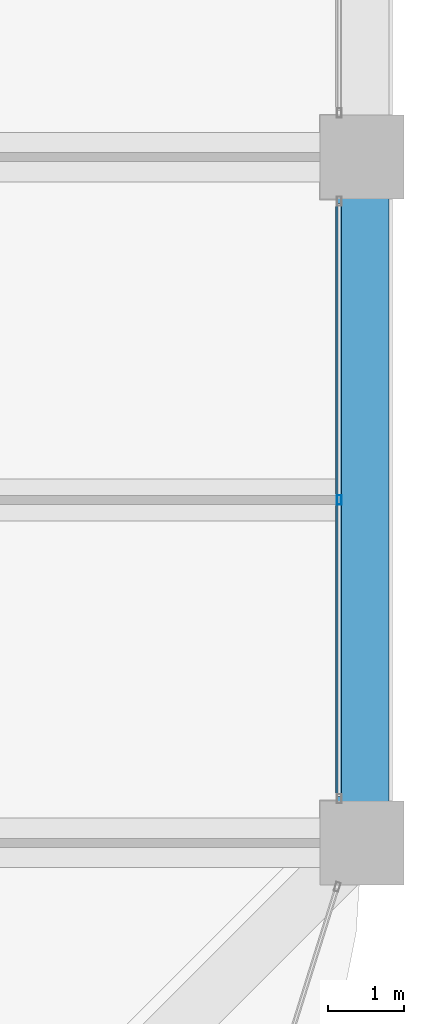
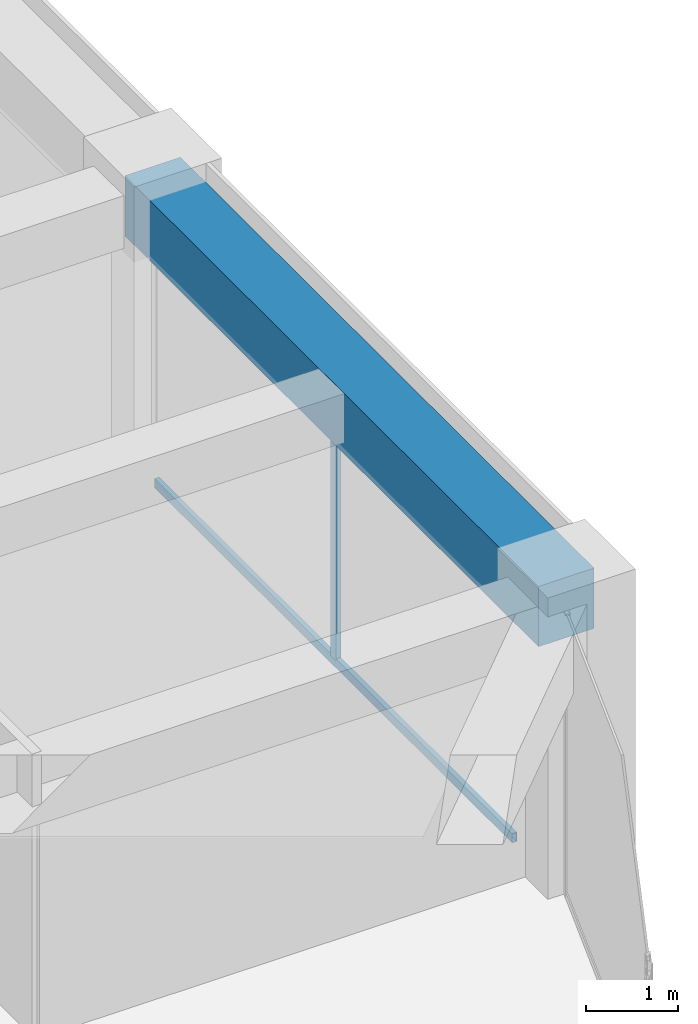
# One storey, part 23 of 44: 2 members, 1 beam, 1 element without a shape of its own.
"""IFC4 building model written with IfcOpenShell, lengths in metres."""

from ifc_helpers import new_model, si_unit, direction, frame, origin, origin_2d, place, context, subcontext, project, spatial, rectangle, hollow_rectangle, extrude, material, material_profile, profile_set, type_object, element, aggregate, save


model = new_model("IFC4")

# Units and contexts
model_context = context("Model", 3, precision=1e-05, world=origin(), true_north=direction((0.0, 1.0)))
body_context = subcontext(model_context, "Body", "Model", "MODEL_VIEW")
ifc_project = project(units=[si_unit("LENGTHUNIT", "METRE"), si_unit("AREAUNIT", "SQUARE_METRE"), si_unit("VOLUMEUNIT", "CUBIC_METRE"), si_unit("PLANEANGLEUNIT", "RADIAN"), si_unit("MASSUNIT", "GRAM", prefix="KILO")], contexts=[model_context])

# Site, building, storey
site_placement = place(None, origin())
site = spatial("IfcSite", under=ifc_project, at=site_placement, CompositionType="ELEMENT")
building_placement = place(site_placement, origin())
building = spatial("IfcBuilding", under=site, at=building_placement, Name="Zorevar Civic Tower", CompositionType="ELEMENT")
storey_placement = place(building_placement, frame((0.0, 0.0, 255.39990234375)))
storey = spatial("IfcBuildingStorey", under=building, at=storey_placement, Name="L62", CompositionType="ELEMENT", Elevation=255.39990234375)

# Curtain wall, members
ifc_material_1 = material(Name="Dark grey solar-control glass in black aluminium frame", Category="aluminium")
curtain_wall_type = type_object("IfcCurtainWallType", Name="Curtain wall CW5 top zone", PredefinedType="NOTDEFINED", material=ifc_material_1)
curtain_wall_placement = place(storey_placement, origin())
curtain_wall = element("IfcCurtainWall", 1, at=curtain_wall_placement, inside=storey, type_object=curtain_wall_type, Name="CW5 L62", PredefinedType="NOTDEFINED")
ifc_material_2 = material(Name="Aluminium, black anodised", Category="aluminium")
ifc_material_profile_1 = material_profile(ifc_material_2, hollow_rectangle(XDim=0.06005859375, YDim=0.1201171875, WallThickness=0.0029296875, at=origin_2d()), Name="AL 120x60x3")
ifc_profile_set_1 = profile_set([ifc_material_profile_1], Name="Aluminium, black anodised")
member_type_1 = type_object("IfcMemberType", Name="CW5 mullion AL 120x60x3", PredefinedType="MULLION", material=ifc_profile_set_1)
member_1_placement = place(storey_placement, frame((53.699951171875, 13.5, 0.06005859375), z_axis=(0.0, 0.0, 1.0), x_axis=(-1.0, 0.0, 0.0)))
member_1 = element("IfcMember", 2, at=member_1_placement, type_object=member_type_1, Name="CW5 mullion 2", PredefinedType="MULLION", context=body_context, shape_type="SweptSolid", body=[
    extrude(hollow_rectangle(XDim=0.06005859375, YDim=0.1201171875, WallThickness=0.0029296875, at=origin_2d()), origin(), (0.0, 0.0, 1.0), 2.89013671875),
])
ifc_material_3 = material(Name="Aluminium, black anodised", Category="aluminium")
ifc_material_profile_2 = material_profile(ifc_material_3, hollow_rectangle(XDim=0.06005859375, YDim=0.1201171875, WallThickness=0.0029296875, at=origin_2d()), Name="AL 120x60x3")
ifc_profile_set_2 = profile_set([ifc_material_profile_2], Name="Aluminium, black anodised")
member_type_2 = type_object("IfcMemberType", Name="CW5 transom AL 120x60x3", PredefinedType="USERDEFINED", material=ifc_profile_set_2)
member_2_placement = place(storey_placement, frame((53.699951171875, 9.610107421875, 0.030029296875), z_axis=(0.0, 1.0, 0.0), x_axis=(-1.0, 0.0, 0.0)))
member_2 = element("IfcMember", 3, at=member_2_placement, type_object=member_type_2, Name="CW5 sill transom", ObjectType="TRANSOM", PredefinedType="USERDEFINED", context=body_context, shape_type="SweptSolid", body=[
    extrude(hollow_rectangle(XDim=0.06005859375, YDim=0.1201171875, WallThickness=0.0029296875, at=origin_2d()), origin(), (0.0, 0.0, 1.0), 7.77978515625),
])
aggregate(curtain_wall, [member_1, member_2])

# Beam
ifc_material_4 = material(Name="Concrete C50/60", Category="concrete")
ifc_material_profile_3 = material_profile(ifc_material_4, rectangle(XDim=0.699951171875, YDim=0.800048828125, at=origin_2d()), Name="RC 700x800")
ifc_profile_set_3 = profile_set([ifc_material_profile_3], Name="Concrete C50/60")
beam_type = type_object("IfcBeamType", Name="Edge beam RC 700x800", PredefinedType="SPANDREL", material=ifc_profile_set_3)
beam_placement = place(storey_placement, frame((54.0, 9.0, 3.35009765625), z_axis=(0.0, 1.0, 0.0), x_axis=(-1.0, 0.0, 0.0)))
element("IfcBeam", 4, at=beam_placement, inside=storey, type_object=beam_type, Name="Edge beam L63", PredefinedType="SPANDREL", context=body_context, shape_type="SweptSolid", body=[
    extrude(rectangle(XDim=0.699951171875, YDim=0.800048828125, at=origin_2d()), origin(), (0.0, 0.0, 1.0), 9.0),
])

save(model, "model.ifc")
